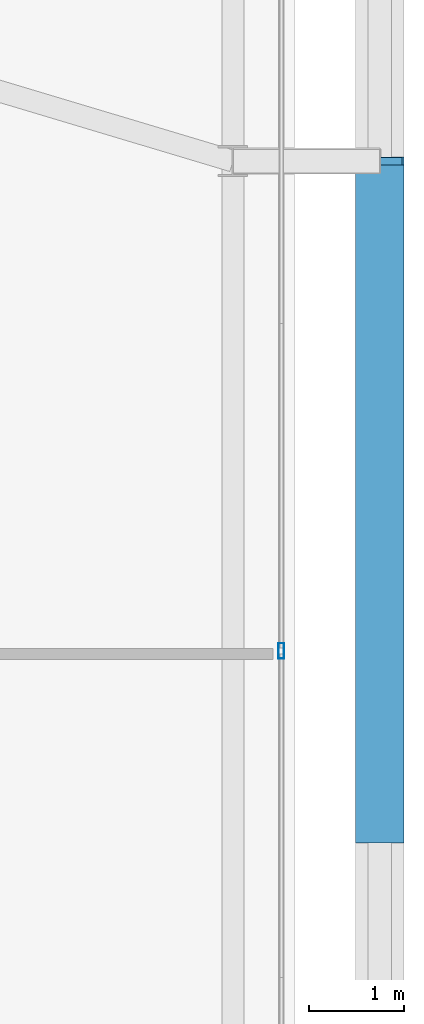
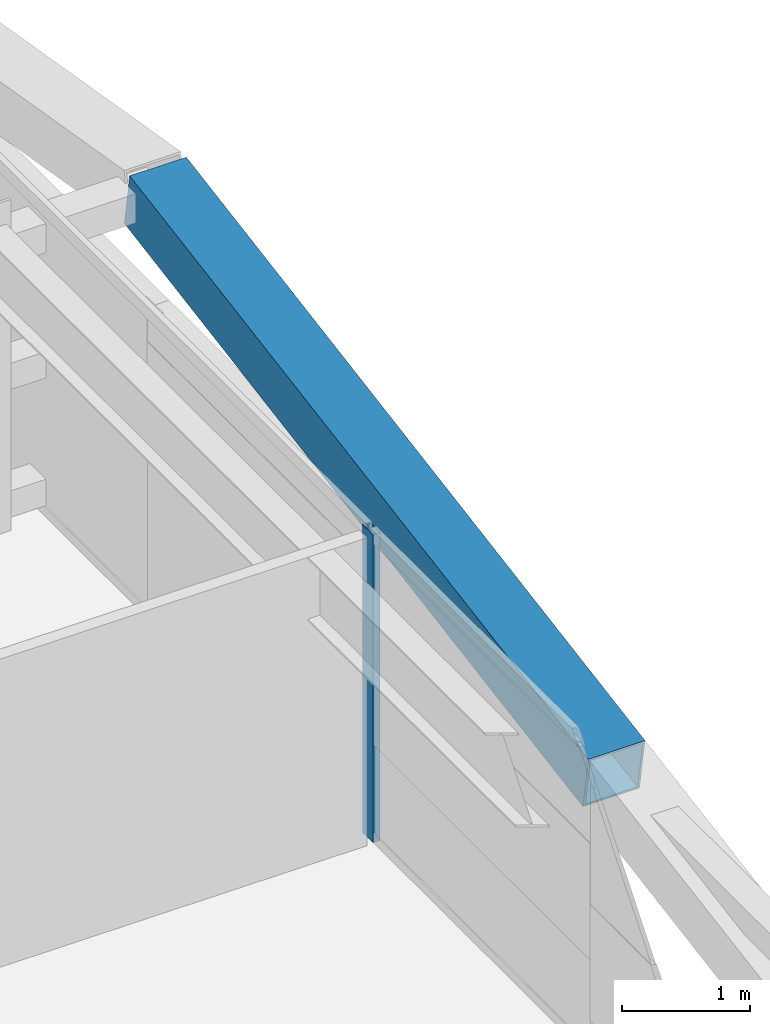
# One storey, part 17 of 44: 2 members, 1 element without a shape of its own.
"""IFC4 building model written with IfcOpenShell, lengths in metres."""

from ifc_helpers import new_model, si_unit, direction, frame, origin, origin_2d, place, context, subcontext, project, spatial, hollow_rectangle, extrude, source, transform, mapped, material, layer, layer_set, material_profile, profile_set, type_object, element, aggregate, save


model = new_model("IFC4")

# Units and contexts
model_context = context("Model", 3, precision=1e-05, world=origin(), true_north=direction((0.0, 1.0)))
body_context = subcontext(model_context, "Body", "Model", "MODEL_VIEW")
ifc_project = project(units=[si_unit("LENGTHUNIT", "METRE"), si_unit("AREAUNIT", "SQUARE_METRE"), si_unit("VOLUMEUNIT", "CUBIC_METRE"), si_unit("PLANEANGLEUNIT", "RADIAN"), si_unit("MASSUNIT", "GRAM", prefix="KILO")], contexts=[model_context])

# Site, building, storey
site_placement = place(None, origin())
site = spatial("IfcSite", under=ifc_project, at=site_placement, CompositionType="ELEMENT")
building_placement = place(site_placement, origin())
building = spatial("IfcBuilding", under=site, at=building_placement, Name="Taldren Reach Tower", CompositionType="ELEMENT")
storey_placement = place(building_placement, frame((0.0, 0.0, 42.0)))
storey = spatial("IfcBuildingStorey", under=building, at=storey_placement, Name="L12", CompositionType="ELEMENT", Elevation=42.0)

# Member
ifc_material_1 = material(Name="Steel Gr 450 (C450L0)", Category="steel")
ifc_material_profile_1 = material_profile(ifc_material_1, hollow_rectangle(XDim=0.510009765625, YDim=0.510009765625, WallThickness=0.02001953125, at=origin_2d()), Name="510x510x20.0SHS")
ifc_profile_set_1 = profile_set([ifc_material_profile_1], Name="Steel Gr 450 (C450L0)")
member_type_1 = type_object("IfcMemberType", Name="MB-EXO508", PredefinedType="BRACE", material=ifc_profile_set_1)
shared_shape_1 = source(origin(), body_context, "Body", "SweptSolid", [
    extrude(hollow_rectangle(XDim=0.510009765625, YDim=0.510009765625, WallThickness=0.02001953125, at=origin_2d()), origin(), (0.0, 0.0, 1.0), 7.25244140625),
])
member_1_placement = place(storey_placement, frame((65.89990234375, 12.85009765625, 1.43505859375), z_axis=(0.0, 0.985870415536, 0.167509772168), x_axis=(-1.0, 0.0, 0.0)))
element("IfcMember", 1, at=member_1_placement, inside=storey, type_object=member_type_1, Name="Exoskeleton Diagrid Brace B1-E1 L12", PredefinedType="BRACE", context=body_context, shape_type="MappedRepresentation", body=[
    mapped(shared_shape_1, transform((0.0, 0.0, 0.0), scale=1.0)),
])

# Curtain wall, member
ifc_material_2 = material(Name="Aluminium and Low-E Glass Unitised System", Category="aluminium")
ifc_layer = layer(ifc_material_2, 0.159912109375)
ifc_layer_set = layer_set([ifc_layer], Name="Aluminium and Low-E Glass Unitised System")
curtain_wall_type = type_object("IfcCurtainWallType", Name="CW-SYS-2", PredefinedType="NOTDEFINED", material=ifc_layer_set)
curtain_wall_placement = place(storey_placement, origin())
curtain_wall = element("IfcCurtainWall", 2, at=curtain_wall_placement, inside=storey, type_object=curtain_wall_type, Name="Unitised curtain wall CW-L12-E", PredefinedType="NOTDEFINED")
ifc_material_3 = material(Name="Anodised Aluminium 6063-T6", Category="aluminium")
ifc_material_profile_2 = material_profile(ifc_material_3, hollow_rectangle(XDim=0.06494140625, YDim=0.1650390625, WallThickness=0.00390625, at=origin_2d()), Name="ALU-165x65x4RHS")
ifc_profile_set_2 = profile_set([ifc_material_profile_2], Name="Anodised Aluminium 6063-T6")
member_type_2 = type_object("IfcMemberType", Name="CW-MUL-165", PredefinedType="MULLION", material=ifc_profile_set_2)
shared_shape_2 = source(origin(), body_context, "Body", "SweptSolid", [
    extrude(hollow_rectangle(XDim=0.06494140625, YDim=0.1650390625, WallThickness=0.00390625, at=origin_2d()), origin(), (0.0, 0.0, 1.0), 2.929931640625),
])
member_2_placement = place(storey_placement, frame((64.860107421875, 14.833251953125, 0.0), z_axis=(0.0, 0.0, 1.0), x_axis=(-1.0, 0.0, 0.0)))
member_2 = element("IfcMember", 3, at=member_2_placement, type_object=member_type_2, Name="CW-2 mullion 2", PredefinedType="MULLION", context=body_context, shape_type="MappedRepresentation", body=[
    mapped(shared_shape_2, transform((0.0, 0.0, 0.0), scale=1.0)),
])
aggregate(curtain_wall, [member_2])

save(model, "model.ifc")
